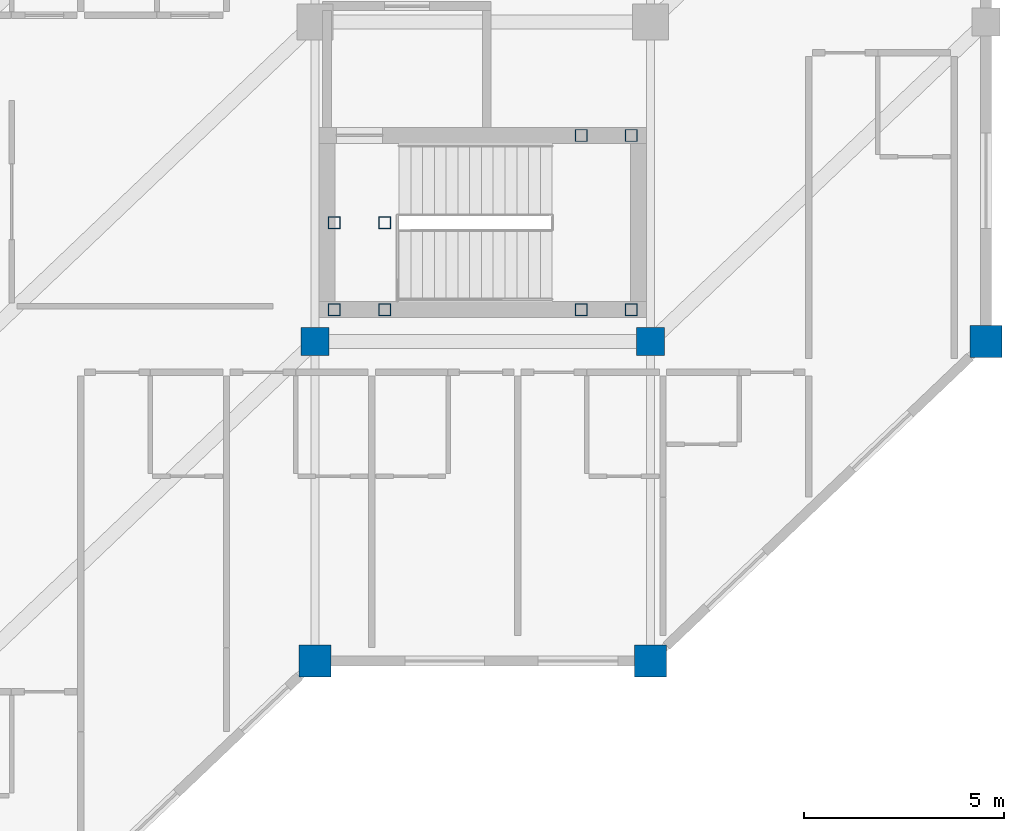
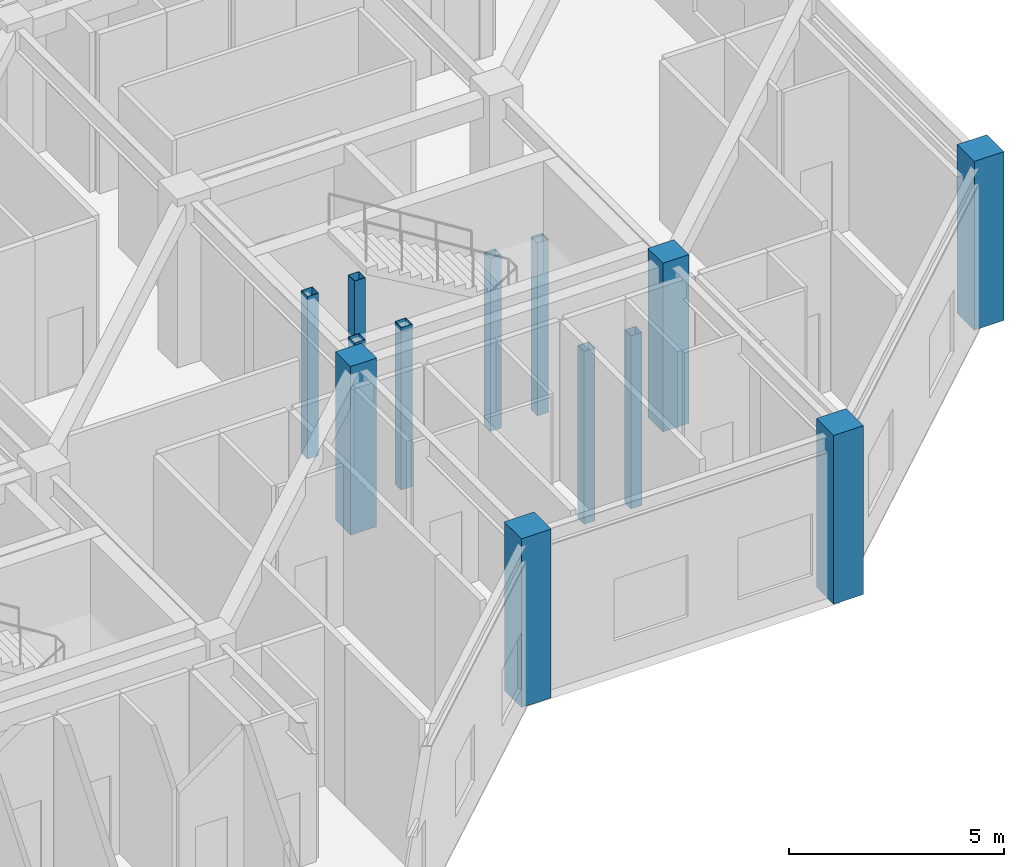
# One storey, part 9 of 76: 13 columns.
"""IFC4 building model written with IfcOpenShell, lengths in metres."""

from ifc_helpers import new_model, si_unit, direction, frame, origin, origin_2d, place, context, subcontext, project, spatial, rectangle, hollow_rectangle, extrude, material, material_profile, profile_set, type_object, element, save


model = new_model("IFC4")

# Units and contexts
model_context = context("Model", 3, precision=1e-05, world=origin(), true_north=direction((0.0, 1.0)))
body_context = subcontext(model_context, "Body", "Model", "MODEL_VIEW")
ifc_project = project(units=[si_unit("LENGTHUNIT", "METRE"), si_unit("AREAUNIT", "SQUARE_METRE"), si_unit("VOLUMEUNIT", "CUBIC_METRE"), si_unit("PLANEANGLEUNIT", "RADIAN"), si_unit("MASSUNIT", "GRAM", prefix="KILO")], contexts=[model_context])

# Site, building, storey
site_placement = place(None, origin())
site = spatial("IfcSite", under=ifc_project, at=site_placement, CompositionType="ELEMENT")
building_placement = place(site_placement, origin())
building = spatial("IfcBuilding", under=site, at=building_placement, Name="Naruveol Harbour Congress Hotel", CompositionType="ELEMENT")
storey_placement = place(building_placement, frame((0.0, 0.0, 11.39990234375)))
storey = spatial("IfcBuildingStorey", under=building, at=storey_placement, Name="L02", CompositionType="ELEMENT", Elevation=11.39990234375)

# Columns
ifc_material_1 = material(Name="Concrete C40/50", Category="concrete")
ifc_material_profile_1 = material_profile(ifc_material_1, rectangle(XDim=0.699951171875, YDim=0.699951171875, at=origin_2d()), Name="RC-700x700")
ifc_profile_set_1 = profile_set([ifc_material_profile_1], Name="Concrete C40/50")
column_type_1 = type_object("IfcColumnType", Name="RC HOTEL COLUMN 700X700", PredefinedType="COLUMN", material=ifc_profile_set_1)
for number, where, z_axis, x_axis, name in (
    (1, (168.0, 24.0, 0.0), (0.0, 0.0, 1.0), (1.0, 0.0, 0.0), "Planted hotel column C-700 L02 S6/J1"),
    (2, (176.39990234375, 24.0, 0.0), (0.0, 0.0, 1.0), (1.0, 0.0, 0.0), "Planted hotel column C-700 L02 S7/J1"),
):
    element("IfcColumn", number, at=place(storey_placement, frame(where, z_axis=z_axis, x_axis=x_axis)), inside=storey, type_object=column_type_1, Name=name, PredefinedType="COLUMN", context=body_context, shape_type="SweptSolid", body=[
        extrude(rectangle(XDim=0.699951171875, YDim=0.699951171875, at=origin_2d()), origin(), (0.0, 0.0, 1.0), 4.800048828125),
    ])
ifc_material_2 = material(Name="Concrete C50/60", Category="concrete")
ifc_material_profile_2 = material_profile(ifc_material_2, rectangle(XDim=0.800048828125, YDim=0.800048828125, at=origin_2d()), Name="RC-800x800")
ifc_profile_set_2 = profile_set([ifc_material_profile_2], Name="Concrete C50/60")
column_type_2 = type_object("IfcColumnType", Name="RC PODIUM COLUMN 800X800", PredefinedType="COLUMN", material=ifc_profile_set_2)
for number, where, z_axis, x_axis, name in (
    (3, (168.0, 16.0, 0.0), (0.0, 0.0, 1.0), (1.0, 0.0, 0.0), "Column C-800 L02 (168.0,16.0)"),
    (4, (176.39990234375, 16.0, 0.0), (0.0, 0.0, 1.0), (1.0, 0.0, 0.0), "Column C-800 L02 (176.4,16.0)"),
    (5, (184.800048828125, 24.0, 0.0), (0.0, 0.0, 1.0), (1.0, 0.0, 0.0), "Column C-800 L02 (184.8,24.0)"),
):
    element("IfcColumn", number, at=place(storey_placement, frame(where, z_axis=z_axis, x_axis=x_axis)), inside=storey, type_object=column_type_2, Name=name, PredefinedType="COLUMN", context=body_context, shape_type="SweptSolid", body=[
        extrude(rectangle(XDim=0.800048828125, YDim=0.800048828125, at=origin_2d()), origin(), (0.0, 0.0, 1.0), 4.800048828125),
    ])
ifc_material_3 = material(Name="Steel SN490", Category="steel")
ifc_material_profile_3 = material_profile(ifc_material_3, hollow_rectangle(XDim=0.300048828125, YDim=0.300048828125, WallThickness=0.011962890625, at=origin_2d()), Name="SHS-300x300x12")
ifc_profile_set_3 = profile_set([ifc_material_profile_3], Name="Steel SN490")
column_type_3 = type_object("IfcColumnType", Name="STEEL COLONNADE POST SHS300", PredefinedType="COLUMN", material=ifc_profile_set_3)
for number, where, z_axis, x_axis, name in (
    (6, (168.47998046875, 24.800048828125, 0.0), (0.0, 0.0, 1.0), (1.0, 0.0, 0.0), "Stair landing support post ST4W #276"),
    (7, (168.47998046875, 26.97998046875, 0.0), (0.0, 0.0, 1.0), (1.0, 0.0, 0.0), "Stair landing support post ST4W #284"),
    (8, (169.739990234375, 24.800048828125, 0.0), (0.0, 0.0, 1.0), (1.0, 0.0, 0.0), "Stair landing support post ST4W #292"),
    (9, (169.739990234375, 26.97998046875, 0.0), (0.0, 0.0, 1.0), (1.0, 0.0, 0.0), "Stair landing support post ST4W #300"),
):
    element("IfcColumn", number, at=place(storey_placement, frame(where, z_axis=z_axis, x_axis=x_axis)), inside=storey, type_object=column_type_3, Name=name, PredefinedType="COLUMN", context=body_context, shape_type="SweptSolid", body=[
        extrude(hollow_rectangle(XDim=0.300048828125, YDim=0.300048828125, WallThickness=0.011962890625, at=origin_2d()), origin(), (0.0, 0.0, 1.0), 4.6201171875),
    ])
for number, where, z_axis, x_axis, name in (
    (10, (174.659912109375, 24.800048828125, -2.699951171875), (0.0, 0.0, 1.0), (1.0, 0.0, 0.0), "Stair landing support post ST4E #308"),
    (11, (174.659912109375, 29.159912109375, -2.699951171875), (0.0, 0.0, 1.0), (1.0, 0.0, 0.0), "Stair landing support post ST4E #316"),
    (12, (175.919921875, 24.800048828125, -2.699951171875), (0.0, 0.0, 1.0), (1.0, 0.0, 0.0), "Stair landing support post ST4E #324"),
    (13, (175.919921875, 29.159912109375, -2.699951171875), (0.0, 0.0, 1.0), (1.0, 0.0, 0.0), "Stair landing support post ST4E #332"),
):
    element("IfcColumn", number, at=place(storey_placement, frame(where, z_axis=z_axis, x_axis=x_axis)), inside=storey, type_object=column_type_3, Name=name, PredefinedType="COLUMN", context=body_context, shape_type="SweptSolid", body=[
        extrude(hollow_rectangle(XDim=0.300048828125, YDim=0.300048828125, WallThickness=0.011962890625, at=origin_2d()), origin(), (0.0, 0.0, 1.0), 4.920166015625),
    ])

save(model, "model.ifc")
